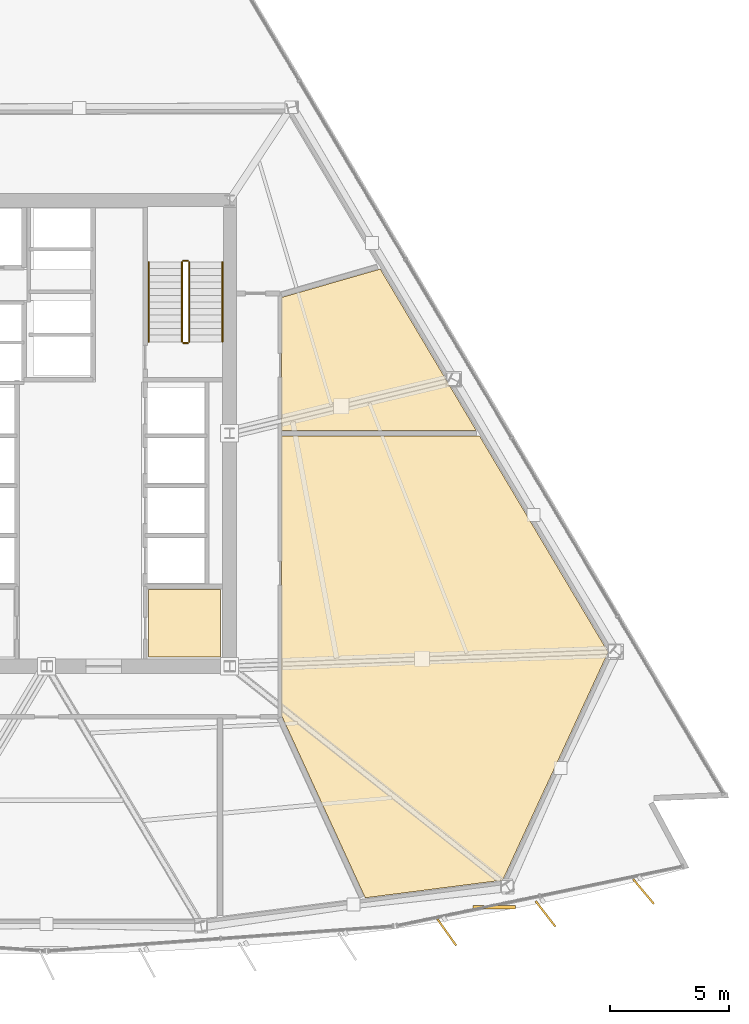
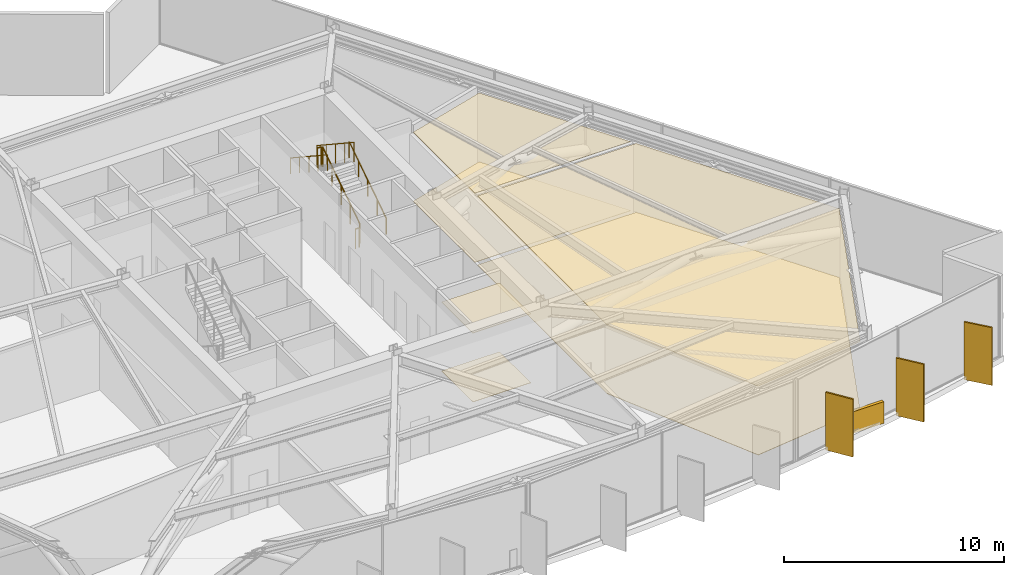
# One storey, part 14 of 16: 6 coverings, 6 railings, 4 shading devices.
"""IFC4 building model written with IfcOpenShell, lengths in metres."""

from ifc_helpers import new_model, si_unit, direction, frame, origin, origin_2d, place, context, subcontext, project, spatial, polyline, rectangle, circle, outline, extrude, material, layer, layer_set, type_object, element, save


model = new_model("IFC4")

# Units and contexts
model_context = context("Model", 3, precision=1e-05, world=origin(), true_north=direction((0.0, 1.0)))
body_context = subcontext(model_context, "Body", "Model", "MODEL_VIEW")
ifc_project = project(units=[si_unit("LENGTHUNIT", "METRE"), si_unit("AREAUNIT", "SQUARE_METRE"), si_unit("VOLUMEUNIT", "CUBIC_METRE"), si_unit("PLANEANGLEUNIT", "RADIAN"), si_unit("MASSUNIT", "GRAM", prefix="KILO")], contexts=[model_context])

# Site, building, storey
site_placement = place(None, origin())
site = spatial("IfcSite", under=ifc_project, at=site_placement, CompositionType="ELEMENT")
building_placement = place(site_placement, origin())
building = spatial("IfcBuilding", under=site, at=building_placement, Name="Savorim Split Tower", CompositionType="ELEMENT")
storey_placement = place(building_placement, frame((0.0, 0.0, 73.199951171875)))
storey = spatial("IfcBuildingStorey", under=building, at=storey_placement, Name="L19", CompositionType="ELEMENT", Elevation=73.199951171875)

# Coverings
ifc_material_1 = material(Name="Mineral Fibre Acoustic Ceiling")
ifc_layer_1 = layer(ifc_material_1, 0.02490234375)
ifc_layer_set_1 = layer_set([ifc_layer_1], Name="COV-CEIL-25")
covering_type_1 = type_object("IfcCoveringType", Name="COV-CEIL-25", PredefinedType="CEILING", material=ifc_layer_set_1)
covering_1_placement = place(storey_placement, frame((0.0, 0.0, 3.820068359375)))
element("IfcCovering", 1, at=covering_1_placement, inside=storey, type_object=covering_type_1, Name="L19 Emergency BMS Plant Room Acoustic Ceiling", PredefinedType="CEILING", context=body_context, shape_type="SweptSolid", body=[
    extrude(outline(polyline([(4.280029296875, -6.179931640625), (4.280029296875, -9.02001953125), (7.320068359375, -9.02001953125), (7.320068359375, -6.179931640625), (4.280029296875, -6.179931640625)])), origin(), (0.0, 0.0, 1.0), 0.02490234375),
])
covering_2_placement = place(storey_placement, frame((0.0, 0.0, 3.820068359375)))
element("IfcCovering", 2, at=covering_2_placement, inside=storey, type_object=covering_type_1, Name="L19 Refuge Area North Acoustic Ceiling", PredefinedType="CEILING", context=body_context, shape_type="SweptSolid", body=[
    extrude(outline(polyline([(13.408935546875, -19.14697265625), (19.1923828125, -18.404296875), (23.62841796875, -8.810791015625), (18.21337890625, 0.2958984375), (18.21337890625, 0.280029296875), (9.889892578125, 0.280029296875), (9.889892578125, -11.449951171875), (9.889404296875, -11.463623046875), (9.8876953125, -11.47509765625), (13.37158203125, -19.065185546875), (13.408935546875, -19.14697265625)])), origin(), (0.0, 0.0, 1.0), 0.02490234375),
])
covering_3_placement = place(storey_placement, frame((0.0, 0.0, 3.820068359375)))
element("IfcCovering", 3, at=covering_3_placement, inside=storey, type_object=covering_type_1, Name="L19 Refuge Area North-East Acoustic Ceiling", PredefinedType="CEILING", context=body_context, shape_type="SweptSolid", body=[
    extrude(outline(polyline([(16.915283203125, 2.443603515625), (16.915283203125, 2.47900390625), (16.88916015625, 2.523193359375), (14.04052734375, 7.3134765625), (9.9169921875, 6.125244140625), (9.889892578125, 6.117431640625), (9.889892578125, 0.52001953125), (18.080078125, 0.52001953125), (16.936279296875, 2.443603515625), (16.915283203125, 2.443603515625)])), origin(), (0.0, 0.0, 1.0), 0.02490234375),
])
ifc_material_2 = material(Name="Porcelain Stoneware Flooring", Category="masonry")
ifc_layer_2 = layer(ifc_material_2, 0.02001953125)
ifc_layer_set_2 = layer_set([ifc_layer_2], Name="COV-FLOR-20")
covering_type_2 = type_object("IfcCoveringType", Name="COV-FLOR-20", PredefinedType="FLOORING", material=ifc_layer_set_2)
covering_4_placement = place(storey_placement, origin())
element("IfcCovering", 4, at=covering_4_placement, inside=storey, type_object=covering_type_2, Name="L19 Emergency BMS Plant Room Porcelain Flooring", PredefinedType="FLOORING", context=body_context, shape_type="SweptSolid", body=[
    extrude(outline(polyline([(4.280029296875, -6.179931640625), (4.280029296875, -9.02001953125), (7.320068359375, -9.02001953125), (7.320068359375, -6.179931640625), (4.280029296875, -6.179931640625)])), origin(), (0.0, 0.0, 1.0), 0.02001953125),
])
covering_5_placement = place(storey_placement, origin())
element("IfcCovering", 5, at=covering_5_placement, inside=storey, type_object=covering_type_2, Name="L19 Refuge Area North Porcelain Flooring", PredefinedType="FLOORING", context=body_context, shape_type="SweptSolid", body=[
    extrude(outline(polyline([(13.408935546875, -19.14697265625), (19.1923828125, -18.404296875), (23.62841796875, -8.810791015625), (18.21337890625, 0.2958984375), (18.21337890625, 0.280029296875), (9.889892578125, 0.280029296875), (9.889892578125, -11.449951171875), (9.889404296875, -11.463623046875), (9.8876953125, -11.47509765625), (13.37158203125, -19.065185546875), (13.408935546875, -19.14697265625)])), origin(), (0.0, 0.0, 1.0), 0.02001953125),
])
covering_6_placement = place(storey_placement, origin())
element("IfcCovering", 6, at=covering_6_placement, inside=storey, type_object=covering_type_2, Name="L19 Refuge Area North-East Porcelain Flooring", PredefinedType="FLOORING", context=body_context, shape_type="SweptSolid", body=[
    extrude(outline(polyline([(16.915283203125, 2.443603515625), (16.915283203125, 2.47900390625), (16.88916015625, 2.523193359375), (14.04052734375, 7.3134765625), (9.9169921875, 6.125244140625), (9.889892578125, 6.117431640625), (9.889892578125, 0.52001953125), (18.080078125, 0.52001953125), (16.936279296875, 2.443603515625), (16.915283203125, 2.443603515625)])), origin(), (0.0, 0.0, 1.0), 0.02001953125),
])

# Railings
ifc_material_3 = material(Name="Galvanised Painted Steel Balustrade", Category="steel")
railing_type_1 = type_object("IfcRailingType", Name="RLG-HR-900", PredefinedType="HANDRAIL", material=ifc_material_3)
railing_1_placement = place(storey_placement, frame((7.39990234375, 4.25, 0.1845703125)))
element("IfcRailing", 7, at=railing_1_placement, inside=storey, type_object=railing_type_1, Name="L19 ST-2 stair handrail 1", PredefinedType="HANDRAIL", context=body_context, shape_type="SweptSolid", body=[
    extrude(circle(Radius=0.02392578125, at=origin_2d()), frame((0.0, 0.0, 0.8759765625), z_axis=(0.0, 0.834848600103, 0.550479622607), x_axis=(-1.0, 0.0, 0.0)), (0.0, 0.0, 1.0), 4.02490234375),
    extrude(circle(Radius=0.02099609375, at=origin_2d()), origin(), (0.0, 0.0, 1.0), 0.851806640625),
    extrude(circle(Radius=0.02099609375, at=origin_2d()), frame((0.0, 0.840087890625, 0.553955078125)), (0.0, 0.0, 1.0), 0.851806640625),
    extrude(circle(Radius=0.02099609375, at=origin_2d()), frame((0.0, 1.68017578125, 1.10791015625)), (0.0, 0.0, 1.0), 0.851806640625),
    extrude(circle(Radius=0.02099609375, at=origin_2d()), frame((0.0, 2.52001953125, 1.66162109375)), (0.0, 0.0, 1.0), 0.851806640625),
    extrude(circle(Radius=0.02099609375, at=origin_2d()), frame((0.0, 3.360107421875, 2.215576171875)), (0.0, 0.0, 1.0), 0.851806640625),
])
railing_2_placement = place(storey_placement, frame((4.300048828125, 7.610107421875, 2.584716796875)))
element("IfcRailing", 8, at=railing_2_placement, inside=storey, type_object=railing_type_1, Name="L19 ST-2 stair handrail 2", PredefinedType="HANDRAIL", context=body_context, shape_type="SweptSolid", body=[
    extrude(circle(Radius=0.02392578125, at=origin_2d()), frame((0.0, 0.0, 0.8759765625), z_axis=(0.0, -0.834876476806, 0.550437342915), x_axis=(1.0, 0.0, 0.0)), (0.0, 0.0, 1.0), 4.024658203125),
    extrude(circle(Radius=0.02099609375, at=origin_2d()), origin(), (0.0, 0.0, 1.0), 0.851806640625),
    extrude(circle(Radius=0.02099609375, at=origin_2d()), frame((0.0, -0.840087890625, 0.5537109375)), (0.0, 0.0, 1.0), 0.851806640625),
    extrude(circle(Radius=0.02099609375, at=origin_2d()), frame((0.0, -1.68017578125, 1.107666015625)), (0.0, 0.0, 1.0), 0.851806640625),
    extrude(circle(Radius=0.02099609375, at=origin_2d()), frame((0.0, -2.52001953125, 1.66162109375)), (0.0, 0.0, 1.0), 0.851806640625),
    extrude(circle(Radius=0.02099609375, at=origin_2d()), frame((0.0, -3.360107421875, 2.21533203125)), (0.0, 0.0, 1.0), 0.851806640625),
])
railing_type_2 = type_object("IfcRailingType", Name="RLG-STG-1100", PredefinedType="BALUSTRADE", material=ifc_material_3)
railing_3_placement = place(storey_placement, frame((6.0, 4.25, 0.1845703125)))
element("IfcRailing", 9, at=railing_3_placement, inside=storey, type_object=railing_type_2, Name="L19 ST-2 stair guard 1", PredefinedType="BALUSTRADE", context=body_context, shape_type="SweptSolid", body=[
    extrude(circle(Radius=0.02392578125, at=origin_2d()), frame((0.0, 0.0, 1.076171875), z_axis=(0.0, 0.834848600103, 0.550479622607), x_axis=(-1.0, 0.0, 0.0)), (0.0, 0.0, 1.0), 4.02490234375),
    extrude(circle(Radius=0.02099609375, at=origin_2d()), origin(), (0.0, 0.0, 1.0), 1.052001953125),
    extrude(circle(Radius=0.02099609375, at=origin_2d()), frame((0.0, 0.840087890625, 0.553955078125)), (0.0, 0.0, 1.0), 1.052001953125),
    extrude(circle(Radius=0.02099609375, at=origin_2d()), frame((0.0, 1.68017578125, 1.10791015625)), (0.0, 0.0, 1.0), 1.052001953125),
    extrude(circle(Radius=0.02099609375, at=origin_2d()), frame((0.0, 2.52001953125, 1.66162109375)), (0.0, 0.0, 1.0), 1.052001953125),
    extrude(circle(Radius=0.02099609375, at=origin_2d()), frame((0.0, 3.360107421875, 2.215576171875)), (0.0, 0.0, 1.0), 1.052001953125),
])
railing_4_placement = place(storey_placement, frame((5.949951171875, 7.659912109375, 2.400146484375)))
element("IfcRailing", 10, at=railing_4_placement, inside=storey, type_object=railing_type_2, Name="L19 ST-2 stair guard 2", PredefinedType="BALUSTRADE", context=body_context, shape_type="SweptSolid", body=[
    extrude(circle(Radius=0.02392578125, at=origin_2d()), frame((0.0, 0.0, 1.076171875), z_axis=(-1.0, 0.0, 0.0), x_axis=(0.0, -1.0, 0.0)), (0.0, 0.0, 1.0), 0.199951171875),
    extrude(circle(Radius=0.02099609375, at=origin_2d()), origin(), (0.0, 0.0, 1.0), 1.052001953125),
    extrude(circle(Radius=0.02099609375, at=origin_2d()), frame((-0.199951171875, 0.0, 0.0)), (0.0, 0.0, 1.0), 1.052001953125),
])
railing_5_placement = place(storey_placement, frame((5.699951171875, 7.610107421875, 2.584716796875)))
element("IfcRailing", 11, at=railing_5_placement, inside=storey, type_object=railing_type_2, Name="L19 ST-2 stair guard 3", PredefinedType="BALUSTRADE", context=body_context, shape_type="SweptSolid", body=[
    extrude(circle(Radius=0.02392578125, at=origin_2d()), frame((0.0, 0.0, 1.076171875), z_axis=(0.0, -0.834876476806, 0.550437342915), x_axis=(1.0, 0.0, 0.0)), (0.0, 0.0, 1.0), 4.024658203125),
    extrude(circle(Radius=0.02099609375, at=origin_2d()), origin(), (0.0, 0.0, 1.0), 1.052001953125),
    extrude(circle(Radius=0.02099609375, at=origin_2d()), frame((0.0, -0.840087890625, 0.5537109375)), (0.0, 0.0, 1.0), 1.052001953125),
    extrude(circle(Radius=0.02099609375, at=origin_2d()), frame((0.0, -1.68017578125, 1.107666015625)), (0.0, 0.0, 1.0), 1.052001953125),
    extrude(circle(Radius=0.02099609375, at=origin_2d()), frame((0.0, -2.52001953125, 1.66162109375)), (0.0, 0.0, 1.0), 1.052001953125),
    extrude(circle(Radius=0.02099609375, at=origin_2d()), frame((0.0, -3.360107421875, 2.21533203125)), (0.0, 0.0, 1.0), 1.052001953125),
])
railing_6_placement = place(storey_placement, frame((5.949951171875, 4.199951171875, 0.0)))
element("IfcRailing", 12, at=railing_6_placement, inside=storey, type_object=railing_type_2, Name="L19 ST-2 stair guard 4", PredefinedType="BALUSTRADE", context=body_context, shape_type="SweptSolid", body=[
    extrude(circle(Radius=0.02392578125, at=origin_2d()), frame((0.0, 0.0, 1.076171875), z_axis=(-1.0, 0.0, 0.0), x_axis=(0.0, -1.0, 0.0)), (0.0, 0.0, 1.0), 0.199951171875),
    extrude(circle(Radius=0.02099609375, at=origin_2d()), origin(), (0.0, 0.0, 1.0), 1.052001953125),
    extrude(circle(Radius=0.02099609375, at=origin_2d()), frame((-0.199951171875, 0.0, 0.0)), (0.0, 0.0, 1.0), 1.052001953125),
])

# Shading devices
ifc_material_4 = material(Name="Terracotta Ceramic-Coated Aluminium Fin", Category="masonry")
shading_device_type_1 = type_object("IfcShadingDeviceType", Name="SHD-FIN-1360", PredefinedType="USERDEFINED", material=ifc_material_4)
for number, where, z_axis, x_axis, name in (
    (13, (16.83837890625, -20.595458984375, -0.19970703125), (0.0, 0.0, 1.0), (0.578993757737, -0.815331974414, 0.0), "L19 Sawtooth Shading Fin 11"),
    (14, (20.9951171875, -19.821044921875, -0.19970703125), (0.0, 0.0, 1.0), (0.611868076908, -0.790959832394, 0.0), "L19 Sawtooth Shading Fin 12"),
    (15, (25.116455078125, -18.87744140625, -0.19970703125), (0.0, 0.0, 1.0), (0.643719022682, -0.765261928909, 0.0), "L19 Sawtooth Shading Fin 13"),
):
    element("IfcShadingDevice", number, at=place(storey_placement, frame(where, z_axis=z_axis, x_axis=x_axis)), inside=storey, type_object=shading_device_type_1, Name=name, ObjectType="FIN", PredefinedType="USERDEFINED", context=body_context, shape_type="SweptSolid", body=[
        extrude(rectangle(XDim=1.360107421875, YDim=0.080078125, at=origin_2d()), origin(), (0.0, 0.0, 1.0), 3.199951171875),
    ])
ifc_material_5 = material(Name="Charcoal Anodised Aluminium", Category="aluminium")
shading_device_type_2 = type_object("IfcShadingDeviceType", Name="SHD-LVR-1800", PredefinedType="USERDEFINED", material=ifc_material_5)
shading_device_placement = place(storey_placement, frame((18.83349609375, -19.54150390625, -0.14990234375), z_axis=(0.0, 0.0, 1.0), x_axis=(1.0, 0.0, 0.0)))
element("IfcShadingDevice", 16, at=shading_device_placement, inside=storey, type_object=shading_device_type_2, Name="L19 Plant Acoustic Louvre 3", ObjectType="LOUVRE", PredefinedType="USERDEFINED", context=body_context, shape_type="SweptSolid", body=[
    extrude(rectangle(XDim=1.800048828125, YDim=0.159912109375, at=origin_2d()), origin(), (0.0, 0.0, 1.0), 1.199951171875),
])

save(model, "model.ifc")
